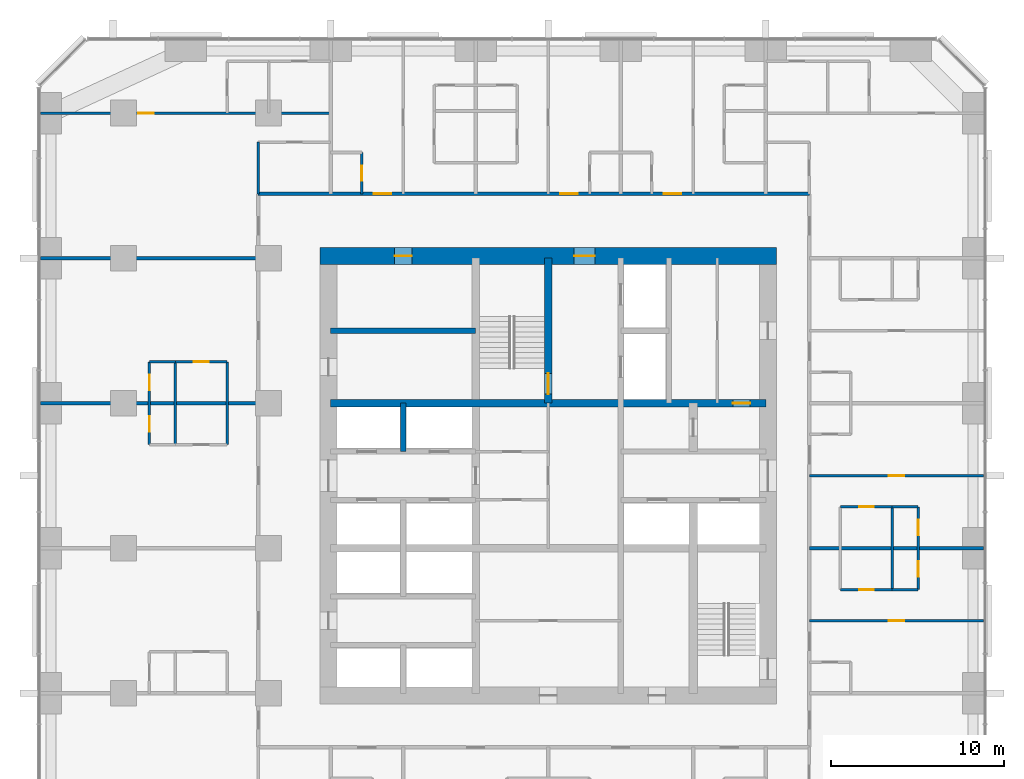
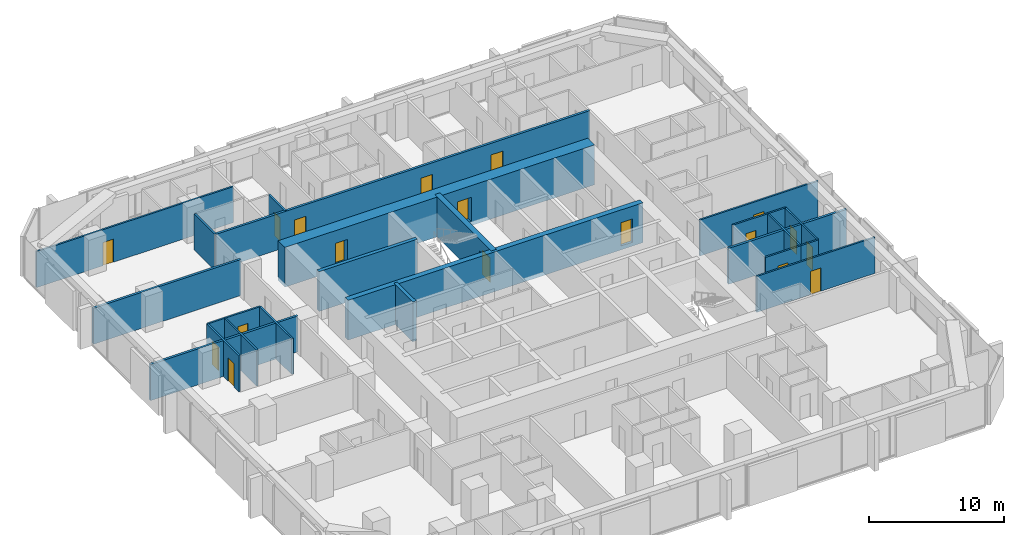
# One storey, part 11 of 14: 25 walls, 18 doors, 18 openings.
"""IFC4 building model written with IfcOpenShell, lengths in metres."""

from ifc_helpers import new_model, si_unit, direction, frame, frame_2d, origin, place, context, subcontext, project, spatial, rectangle, extrude, material, layer, layer_set, type_object, element, fill, save


model = new_model("IFC4")

# Units and contexts
model_context = context("Model", 3, precision=1e-05, world=origin(), true_north=direction((0.0, 1.0)))
body_context = subcontext(model_context, "Body", "Model", "MODEL_VIEW")
ifc_project = project(units=[si_unit("LENGTHUNIT", "METRE"), si_unit("AREAUNIT", "SQUARE_METRE"), si_unit("VOLUMEUNIT", "CUBIC_METRE"), si_unit("PLANEANGLEUNIT", "RADIAN"), si_unit("MASSUNIT", "GRAM", prefix="KILO")], contexts=[model_context])

# Site, building, storey
site_placement = place(None, origin())
site = spatial("IfcSite", under=ifc_project, at=site_placement, CompositionType="ELEMENT")
building_placement = place(site_placement, origin())
building = spatial("IfcBuilding", under=site, at=building_placement, Name="Dunama Terrace Hotel", CompositionType="ELEMENT")
storey_placement = place(building_placement, frame((0.0, 0.0, 126.0)))
storey = spatial("IfcBuildingStorey", under=building, at=storey_placement, Name="L32", CompositionType="ELEMENT", Elevation=126.0)

# Walls
ifc_material_1 = material(Name="Gypsum board partition", Category="masonry")
ifc_layer_1 = layer(ifc_material_1, 0.14990234375)
ifc_layer_set_1 = layer_set([ifc_layer_1], Name="Bathroom partition 150")
wall_type_1 = type_object("IfcWallType", Name="Bathroom partition 150", PredefinedType="PARTITIONING", material=ifc_layer_set_1)
wall_1_placement = place(storey_placement, frame((10.800048828125, 31.199951171875, 0.0), z_axis=(0.0, 0.0, 1.0), x_axis=(0.0, 1.0, 0.0)))
element("IfcWall", 1, at=wall_1_placement, inside=storey, type_object=wall_type_1, Name="Bathroom partition 150 L32", PredefinedType="PARTITIONING", context=body_context, shape_type="SweptSolid", body=[
    extrude(rectangle(XDim=4.800048828125, YDim=0.14990234375, at=frame_2d((2.39990234375, 0.0))), origin(), (0.0, 0.0, 1.0), 3.25),
])
wall_2_placement = place(storey_placement, frame((12.60009765625, 45.72509765625, 0.0), z_axis=(0.0, 0.0, 1.0), x_axis=(0.0, 1.0, 0.0)))
element("IfcWall", 2, at=wall_2_placement, inside=storey, type_object=wall_type_1, Name="Bathroom partition 150 L32", PredefinedType="PARTITIONING", context=body_context, shape_type="SweptSolid", body=[
    extrude(rectangle(XDim=3.0, YDim=0.14990234375, at=frame_2d((1.5, 0.0))), origin(), (0.0, 0.0, 1.0), 3.25),
])

# Wall, opening, door
wall_3_placement = place(storey_placement, frame((18.60009765625, 45.72509765625, 0.0), z_axis=(0.0, 0.0, 1.0), x_axis=(0.0, 1.0, 0.0)))
wall_3 = element("IfcWall", 3, at=wall_3_placement, inside=storey, type_object=wall_type_1, Name="Bathroom partition 150 L32", PredefinedType="PARTITIONING", context=body_context, shape_type="SweptSolid", body=[
    extrude(rectangle(XDim=2.39990234375, YDim=0.14990234375, at=frame_2d((1.199951171875, 0.0))), origin(), (0.0, 0.0, 1.0), 3.25),
])
opening_1_placement = place(wall_3_placement, frame((0.77490234375, 0.0, 0.0)))
opening_1 = element("IfcOpeningElement", 4, at=opening_1_placement, cuts=wall_3, Name="Opening L31-33-039", PredefinedType="OPENING", context=body_context, shape_type="SweptSolid", body=[
    extrude(rectangle(XDim=0.85009765625, YDim=2.10009765625, at=frame_2d((0.425048828125, 1.050048828125))), frame((0.0, 0.0849609375, 0.0), z_axis=(0.0, -1.0, 0.0), x_axis=(1.0, 0.0, 0.0)), (0.0, 0.0, 1.0), 0.169921875),
])
ifc_material_2 = material(Name="Timber door with steel frame", Category="steel")
door_type_1 = type_object("IfcDoorType", Name="Bathroom door 850", OperationType="SINGLE_SWING_LEFT", PredefinedType="DOOR", material=ifc_material_2)
door_1_placement = place(opening_1_placement, origin())
door_1 = element("IfcDoor", 5, at=door_1_placement, inside=storey, type_object=door_type_1, Name="Door to powder room L31-33-039, type D2", OperationType="SINGLE_SWING_LEFT", OverallHeight=2.10009765625, OverallWidth=0.85009765625, PredefinedType="DOOR", context=body_context, shape_type="SweptSolid", body=[
    extrude(rectangle(XDim=0.85009765625, YDim=2.10009765625, at=frame_2d((0.425048828125, 1.050048828125))), frame((0.0, 0.02490234375, 0.0), z_axis=(0.0, -1.0, 0.0), x_axis=(1.0, 0.0, 0.0)), (0.0, 0.0, 1.0), 0.050048828125),
])
fill(opening_1, door_1)

wall_4_placement = place(storey_placement, frame((46.324951171875, 22.800048828125, 0.0), z_axis=(0.0, 0.0, 1.0), x_axis=(1.0, 0.0, 0.0)))
wall_4 = element("IfcWall", 6, at=wall_4_placement, inside=storey, type_object=wall_type_1, Name="Bathroom partition 150 L32", PredefinedType="PARTITIONING", context=body_context, shape_type="SweptSolid", body=[
    extrude(rectangle(XDim=3.0, YDim=0.14990234375, at=frame_2d((1.5, 0.0))), origin(), (0.0, 0.0, 1.0), 3.25),
])
opening_2_placement = place(wall_4_placement, frame((1.074951171875, 0.0, 0.0)))
opening_2 = element("IfcOpeningElement", 7, at=opening_2_placement, cuts=wall_4, Name="Opening L31-33-026", PredefinedType="OPENING", context=body_context, shape_type="SweptSolid", body=[
    extrude(rectangle(XDim=0.85009765625, YDim=2.10009765625, at=frame_2d((0.425048828125, 1.050048828125))), frame((0.0, 0.0849609375, 0.0), z_axis=(0.0, -1.0, 0.0), x_axis=(1.0, 0.0, 0.0)), (0.0, 0.0, 1.0), 0.169921875),
])
door_2_placement = place(opening_2_placement, origin())
door_2 = element("IfcDoor", 8, at=door_2_placement, inside=storey, type_object=door_type_1, Name="Door to en-suite bathroom L31-33-026, type D2", OperationType="SINGLE_SWING_RIGHT", OverallHeight=2.10009765625, OverallWidth=0.85009765625, PredefinedType="DOOR", context=body_context, shape_type="SweptSolid", body=[
    extrude(rectangle(XDim=0.85009765625, YDim=2.10009765625, at=frame_2d((0.425048828125, 1.050048828125))), frame((0.0, 0.02490234375, 0.0), z_axis=(0.0, -1.0, 0.0), x_axis=(1.0, 0.0, 0.0)), (0.0, 0.0, 1.0), 0.050048828125),
])
fill(opening_2, door_2)

wall_5_placement = place(storey_placement, frame((46.324951171875, 27.60009765625, 0.0), z_axis=(0.0, 0.0, 1.0), x_axis=(1.0, 0.0, 0.0)))
wall_5 = element("IfcWall", 9, at=wall_5_placement, inside=storey, type_object=wall_type_1, Name="Bathroom partition 150 L32", PredefinedType="PARTITIONING", context=body_context, shape_type="SweptSolid", body=[
    extrude(rectangle(XDim=3.0, YDim=0.14990234375, at=frame_2d((1.5, 0.0))), origin(), (0.0, 0.0, 1.0), 3.25),
])
opening_3_placement = place(wall_5_placement, frame((1.074951171875, 0.0, 0.0)))
opening_3 = element("IfcOpeningElement", 10, at=opening_3_placement, cuts=wall_5, Name="Opening L31-33-031", PredefinedType="OPENING", context=body_context, shape_type="SweptSolid", body=[
    extrude(rectangle(XDim=0.85009765625, YDim=2.10009765625, at=frame_2d((0.425048828125, 1.050048828125))), frame((0.0, 0.0849609375, 0.0), z_axis=(0.0, -1.0, 0.0), x_axis=(1.0, 0.0, 0.0)), (0.0, 0.0, 1.0), 0.169921875),
])
door_3_placement = place(opening_3_placement, frame((0.85009765625, 0.0, 0.0), z_axis=(0.0, 0.0, 1.0), x_axis=(-1.0, 0.0, 0.0)))
door_3 = element("IfcDoor", 11, at=door_3_placement, inside=storey, type_object=door_type_1, Name="Door to en-suite bathroom L31-33-031, type D2", OperationType="SINGLE_SWING_LEFT", OverallHeight=2.10009765625, OverallWidth=0.85009765625, PredefinedType="DOOR", context=body_context, shape_type="SweptSolid", body=[
    extrude(rectangle(XDim=0.85009765625, YDim=2.10009765625, at=frame_2d((0.425048828125, 1.050048828125))), frame((0.0, 0.025146484375, 0.0), z_axis=(0.0, -1.0, 0.0), x_axis=(1.0, 0.0, 0.0)), (0.0, 0.0, 1.0), 0.050048828125),
])
fill(opening_3, door_3)

wall_6_placement = place(storey_placement, frame((7.800048828125, 36.0, 0.0), z_axis=(0.0, 0.0, 1.0), x_axis=(1.0, 0.0, 0.0)))
wall_6 = element("IfcWall", 12, at=wall_6_placement, inside=storey, type_object=wall_type_1, Name="Bathroom partition 150 L32", PredefinedType="PARTITIONING", context=body_context, shape_type="SweptSolid", body=[
    extrude(rectangle(XDim=3.0, YDim=0.14990234375, at=frame_2d((1.5, 0.0))), origin(), (0.0, 0.0, 1.0), 3.25),
])
opening_4_placement = place(wall_6_placement, frame((1.074951171875, 0.0, 0.0)))
opening_4 = element("IfcOpeningElement", 13, at=opening_4_placement, cuts=wall_6, Name="Opening L31-33-060", PredefinedType="OPENING", context=body_context, shape_type="SweptSolid", body=[
    extrude(rectangle(XDim=0.85009765625, YDim=2.10009765625, at=frame_2d((0.425048828125, 1.050048828125))), frame((0.0, 0.0849609375, 0.0), z_axis=(0.0, -1.0, 0.0), x_axis=(1.0, 0.0, 0.0)), (0.0, 0.0, 1.0), 0.169921875),
])
door_4_placement = place(opening_4_placement, frame((0.85009765625, 0.0, 0.0), z_axis=(0.0, 0.0, 1.0), x_axis=(-1.0, 0.0, 0.0)))
door_4 = element("IfcDoor", 14, at=door_4_placement, inside=storey, type_object=door_type_1, Name="Door to en-suite bathroom L31-33-060, type D2", OperationType="SINGLE_SWING_RIGHT", OverallHeight=2.10009765625, OverallWidth=0.85009765625, PredefinedType="DOOR", context=body_context, shape_type="SweptSolid", body=[
    extrude(rectangle(XDim=0.85009765625, YDim=2.10009765625, at=frame_2d((0.425048828125, 1.050048828125))), frame((0.0, 0.025146484375, 0.0), z_axis=(0.0, -1.0, 0.0), x_axis=(1.0, 0.0, 0.0)), (0.0, 0.0, 1.0), 0.050048828125),
])
fill(opening_4, door_4)

# Walls
ifc_material_3 = material(Name="Concrete C50/60", Category="concrete")
ifc_layer_2 = layer(ifc_material_3, 0.300048828125)
ifc_layer_set_2 = layer_set([ifc_layer_2], Name="Core inner wall 300")
wall_type_2 = type_object("IfcWallType", Name="Core inner wall 300", PredefinedType="SHEAR", material=ifc_layer_set_2)
wall_7_placement = place(storey_placement, frame((21.0, 30.800048828125, -0.35009765625), z_axis=(0.0, 0.0, 1.0), x_axis=(0.0, 1.0, 0.0)))
element("IfcWall", 15, at=wall_7_placement, inside=storey, type_object=wall_type_2, Name="Core inner wall 300 L32", PredefinedType="SHEAR", context=body_context, shape_type="SweptSolid", body=[
    extrude(rectangle(XDim=2.800048828125, YDim=0.300048828125, at=frame_2d((1.39990234375, 0.0))), origin(), (0.0, 0.0, 1.0), 3.60009765625),
])
wall_8_placement = place(storey_placement, frame((16.800048828125, 37.800048828125, -0.35009765625), z_axis=(0.0, 0.0, 1.0), x_axis=(1.0, 0.0, 0.0)))
element("IfcWall", 16, at=wall_8_placement, inside=storey, type_object=wall_type_2, Name="Core inner wall 300 L32", PredefinedType="SHEAR", context=body_context, shape_type="SweptSolid", body=[
    extrude(rectangle(XDim=8.39990234375, YDim=0.300048828125, at=frame_2d((4.199951171875, 0.0))), origin(), (0.0, 0.0, 1.0), 3.60009765625),
])

# Wall, opening, door
ifc_material_4 = material(Name="Concrete C50/60", Category="concrete")
ifc_layer_3 = layer(ifc_material_4, 0.449951171875)
ifc_layer_set_3 = layer_set([ifc_layer_3], Name="Core inner wall 450")
wall_type_3 = type_object("IfcWallType", Name="Core inner wall 450", PredefinedType="SHEAR", material=ifc_layer_set_3)
wall_9_placement = place(storey_placement, frame((29.39990234375, 33.60009765625, -0.35009765625), z_axis=(0.0, 0.0, 1.0), x_axis=(0.0, 1.0, 0.0)))
wall_9 = element("IfcWall", 17, at=wall_9_placement, inside=storey, type_object=wall_type_3, Name="Core inner wall 450 L32", PredefinedType="SHEAR", context=body_context, shape_type="SweptSolid", body=[
    extrude(rectangle(XDim=8.39990234375, YDim=0.449951171875, at=frame_2d((4.199951171875, 0.0))), origin(), (0.0, 0.0, 1.0), 3.60009765625),
])
opening_5_placement = place(wall_9_placement, frame((0.52490234375, 0.0, 0.35009765625)))
opening_5 = element("IfcOpeningElement", 18, at=opening_5_placement, cuts=wall_9, Name="Opening L31-33-001", PredefinedType="OPENING", context=body_context, shape_type="SweptSolid", body=[
    extrude(rectangle(XDim=1.199951171875, YDim=2.199951171875, at=frame_2d((0.60009765625, 1.10009765625))), frame((0.0, 0.23486328125, 0.0), z_axis=(0.0, -1.0, 0.0), x_axis=(1.0, 0.0, 0.0)), (0.0, 0.0, 1.0), 0.469970703125),
])
ifc_material_5 = material(Name="Timber door with steel frame", Category="steel")
door_type_2 = type_object("IfcDoorType", Name="Stair door 1200", OperationType="SINGLE_SWING_LEFT", PredefinedType="DOOR", material=ifc_material_5)
door_5_placement = place(opening_5_placement, origin())
door_5 = element("IfcDoor", 19, at=door_5_placement, inside=storey, type_object=door_type_2, Name="Stair door ST1 L31-33-001, type D5", OperationType="SINGLE_SWING_LEFT", OverallHeight=2.199951171875, OverallWidth=1.199951171875, PredefinedType="DOOR", context=body_context, shape_type="SweptSolid", body=[
    extrude(rectangle(XDim=1.199951171875, YDim=2.199951171875, at=frame_2d((0.60009765625, 1.10009765625))), frame((0.0, 0.02490234375, 0.0), z_axis=(0.0, -1.0, 0.0), x_axis=(1.0, 0.0, 0.0)), (0.0, 0.0, 1.0), 0.050048828125),
])
fill(opening_5, door_5)

wall_10_placement = place(storey_placement, frame((16.800048828125, 33.60009765625, -0.35009765625), z_axis=(0.0, 0.0, 1.0), x_axis=(1.0, 0.0, 0.0)))
wall_10 = element("IfcWall", 20, at=wall_10_placement, inside=storey, type_object=wall_type_3, Name="Core inner wall 450 L32", PredefinedType="SHEAR", context=body_context, shape_type="SweptSolid", body=[
    extrude(rectangle(XDim=25.199951171875, YDim=0.449951171875, at=frame_2d((12.60009765625, 0.0))), origin(), (0.0, 0.0, 1.0), 3.60009765625),
])
opening_6_placement = place(wall_10_placement, frame((23.300048828125, 0.0, 0.35009765625)))
opening_6 = element("IfcOpeningElement", 21, at=opening_6_placement, cuts=wall_10, Name="Opening L31-33-091", PredefinedType="OPENING", context=body_context, shape_type="SweptSolid", body=[
    extrude(rectangle(XDim=1.0, YDim=2.10009765625, at=frame_2d((0.5, 1.050048828125))), frame((0.0, 0.23486328125, 0.0), z_axis=(0.0, -1.0, 0.0), x_axis=(1.0, 0.0, 0.0)), (0.0, 0.0, 1.0), 0.469970703125),
])
ifc_material_6 = material(Name="Timber door with steel frame", Category="steel")
door_type_3 = type_object("IfcDoorType", Name="Service door 1000", OperationType="SINGLE_SWING_LEFT", PredefinedType="DOOR", material=ifc_material_6)
door_6_placement = place(opening_6_placement, frame((1.0, 0.0, 0.0), z_axis=(0.0, 0.0, 1.0), x_axis=(-1.0, 0.0, 0.0)))
door_6 = element("IfcDoor", 22, at=door_6_placement, inside=storey, type_object=door_type_3, Name="Door to housekeeping and linen store L31-33-091, type D7", OperationType="SINGLE_SWING_LEFT", OverallHeight=2.10009765625, OverallWidth=1.0, PredefinedType="DOOR", context=body_context, shape_type="SweptSolid", body=[
    extrude(rectangle(XDim=1.0, YDim=2.10009765625, at=frame_2d((0.5, 1.050048828125))), frame((0.0, 0.025146484375, 0.0), z_axis=(0.0, -1.0, 0.0), x_axis=(1.0, 0.0, 0.0)), (0.0, 0.0, 1.0), 0.050048828125),
])
fill(opening_6, door_6)

# Wall, openings, doors
ifc_material_7 = material(Name="Concrete C60/75", Category="concrete")
ifc_layer_4 = layer(ifc_material_7, 1.0)
ifc_layer_set_4 = layer_set([ifc_layer_4], Name="Core wall 1000")
wall_type_4 = type_object("IfcWallType", Name="Core wall 1000", PredefinedType="SHEAR", material=ifc_layer_set_4)
wall_11_placement = place(storey_placement, frame((42.625, 42.125, -0.35009765625), z_axis=(0.0, 0.0, 1.0), x_axis=(-1.0, 0.0, 0.0)))
wall_11 = element("IfcWall", 23, at=wall_11_placement, inside=storey, type_object=wall_type_4, Name="Core wall north L32", PredefinedType="SHEAR", context=body_context, shape_type="SweptSolid", body=[
    extrude(rectangle(XDim=26.449951171875, YDim=1.0, at=frame_2d((13.22509765625, 0.0))), origin(), (0.0, 0.0, 1.0), 3.60009765625),
])
opening_7_placement = place(wall_11_placement, frame((21.125, 0.0, 0.35009765625)))
opening_7 = element("IfcOpeningElement", 24, at=opening_7_placement, cuts=wall_11, Name="Opening L31-33-085", PredefinedType="OPENING", context=body_context, shape_type="SweptSolid", body=[
    extrude(rectangle(XDim=1.0, YDim=2.10009765625, at=frame_2d((0.5, 1.050048828125))), frame((0.0, 0.510009765625, 0.0), z_axis=(0.0, -1.0, 0.0), x_axis=(1.0, 0.0, 0.0)), (0.0, 0.0, 1.0), 1.02001953125),
])
opening_8_placement = place(wall_11_placement, frame((10.52490234375, 0.0, 0.35009765625)))
opening_8 = element("IfcOpeningElement", 25, at=opening_8_placement, cuts=wall_11, Name="Opening L31-33-093", PredefinedType="OPENING", context=body_context, shape_type="SweptSolid", body=[
    extrude(rectangle(XDim=1.199951171875, YDim=2.199951171875, at=frame_2d((0.60009765625, 1.10009765625))), frame((0.0, 0.510009765625, 0.0), z_axis=(0.0, -1.0, 0.0), x_axis=(1.0, 0.0, 0.0)), (0.0, 0.0, 1.0), 1.02001953125),
])
ifc_material_8 = material(Name="Timber door with steel frame", Category="steel")
door_type_4 = type_object("IfcDoorType", Name="Firefighting lobby door 1200", OperationType="SINGLE_SWING_LEFT", PredefinedType="DOOR", material=ifc_material_8)
door_7_placement = place(opening_8_placement, origin())
door_7 = element("IfcDoor", 26, at=door_7_placement, inside=storey, type_object=door_type_4, Name="Door to firefighting lobby L31-33-093, type D4", OperationType="SINGLE_SWING_RIGHT", OverallHeight=2.199951171875, OverallWidth=1.199951171875, PredefinedType="DOOR", context=body_context, shape_type="SweptSolid", body=[
    extrude(rectangle(XDim=1.199951171875, YDim=2.199951171875, at=frame_2d((0.60009765625, 1.10009765625))), frame((0.0, 0.02490234375, 0.0), z_axis=(0.0, -1.0, 0.0), x_axis=(1.0, 0.0, 0.0)), (0.0, 0.0, 1.0), 0.050048828125),
])
fill(opening_8, door_7)
door_8_placement = place(opening_7_placement, origin())
door_8 = element("IfcDoor", 27, at=door_8_placement, inside=storey, type_object=door_type_3, Name="Door to communications and riser room L31-33-085, type D7", OperationType="SINGLE_SWING_LEFT", OverallHeight=2.10009765625, OverallWidth=1.0, PredefinedType="DOOR", context=body_context, shape_type="SweptSolid", body=[
    extrude(rectangle(XDim=1.0, YDim=2.10009765625, at=frame_2d((0.5, 1.050048828125))), frame((0.0, 0.02490234375, 0.0), z_axis=(0.0, -1.0, 0.0), x_axis=(1.0, 0.0, 0.0)), (0.0, 0.0, 1.0), 0.050048828125),
])
fill(opening_7, door_8)

ifc_material_9 = material(Name="Concrete blockwork", Category="masonry")
ifc_layer_5 = layer(ifc_material_9, 0.199951171875)
ifc_layer_set_5 = layer_set([ifc_layer_5], Name="Corridor partition 200")
wall_type_5 = type_object("IfcWallType", Name="Corridor partition 200", PredefinedType="PARTITIONING", material=ifc_layer_set_5)
wall_12_placement = place(storey_placement, frame((12.60009765625, 45.72509765625, 0.0), z_axis=(0.0, 0.0, 1.0), x_axis=(1.0, 0.0, 0.0)))
wall_12 = element("IfcWall", 28, at=wall_12_placement, inside=storey, type_object=wall_type_5, Name="Corridor partition 200 L32", PredefinedType="PARTITIONING", context=body_context, shape_type="SweptSolid", body=[
    extrude(rectangle(XDim=31.9248046875, YDim=0.199951171875, at=frame_2d((15.96240234375, 0.0))), origin(), (0.0, 0.0, 1.0), 3.25),
])
opening_9_placement = place(wall_12_placement, frame((6.699951171875, 0.0, 0.0)))
opening_9 = element("IfcOpeningElement", 29, at=opening_9_placement, cuts=wall_12, Name="Opening L31-33-038", PredefinedType="OPENING", context=body_context, shape_type="SweptSolid", body=[
    extrude(rectangle(XDim=1.0, YDim=2.199951171875, at=frame_2d((0.5, 1.10009765625))), frame((0.0, 0.10986328125, 0.0), z_axis=(0.0, -1.0, 0.0), x_axis=(1.0, 0.0, 0.0)), (0.0, 0.0, 1.0), 0.219970703125),
])
opening_10_placement = place(wall_12_placement, frame((17.5, 0.0, 0.0)))
opening_10 = element("IfcOpeningElement", 30, at=opening_10_placement, cuts=wall_12, Name="Opening L31-33-043", PredefinedType="OPENING", context=body_context, shape_type="SweptSolid", body=[
    extrude(rectangle(XDim=1.0, YDim=2.199951171875, at=frame_2d((0.5, 1.10009765625))), frame((0.0, 0.10986328125, 0.0), z_axis=(0.0, -1.0, 0.0), x_axis=(1.0, 0.0, 0.0)), (0.0, 0.0, 1.0), 0.219970703125),
])
opening_11_placement = place(wall_12_placement, frame((23.5, 0.0, 0.0)))
opening_11 = element("IfcOpeningElement", 31, at=opening_11_placement, cuts=wall_12, Name="Opening L31-33-048", PredefinedType="OPENING", context=body_context, shape_type="SweptSolid", body=[
    extrude(rectangle(XDim=1.0, YDim=2.199951171875, at=frame_2d((0.5, 1.10009765625))), frame((0.0, 0.10986328125, 0.0), z_axis=(0.0, -1.0, 0.0), x_axis=(1.0, 0.0, 0.0)), (0.0, 0.0, 1.0), 0.219970703125),
])
ifc_material_10 = material(Name="Timber door with steel frame", Category="steel")
door_type_5 = type_object("IfcDoorType", Name="Guest room door 1000", OperationType="SINGLE_SWING_LEFT", PredefinedType="DOOR", material=ifc_material_10)
door_9_placement = place(opening_9_placement, origin())
door_9 = element("IfcDoor", 32, at=door_9_placement, inside=storey, type_object=door_type_5, Name="Door to premier suite living room L31-33-038, type D1", OperationType="SINGLE_SWING_LEFT", OverallHeight=2.199951171875, OverallWidth=1.0, PredefinedType="DOOR", context=body_context, shape_type="SweptSolid", body=[
    extrude(rectangle(XDim=1.0, YDim=2.199951171875, at=frame_2d((0.5, 1.10009765625))), frame((0.0, 0.02490234375, 0.0), z_axis=(0.0, -1.0, 0.0), x_axis=(1.0, 0.0, 0.0)), (0.0, 0.0, 1.0), 0.050048828125),
])
fill(opening_9, door_9)
door_10_placement = place(opening_10_placement, origin())
door_10 = element("IfcDoor", 33, at=door_10_placement, inside=storey, type_object=door_type_5, Name="Door to premier suite living room L31-33-043, type D1", OperationType="SINGLE_SWING_RIGHT", OverallHeight=2.199951171875, OverallWidth=1.0, PredefinedType="DOOR", context=body_context, shape_type="SweptSolid", body=[
    extrude(rectangle(XDim=1.0, YDim=2.199951171875, at=frame_2d((0.5, 1.10009765625))), frame((0.0, 0.02490234375, 0.0), z_axis=(0.0, -1.0, 0.0), x_axis=(1.0, 0.0, 0.0)), (0.0, 0.0, 1.0), 0.050048828125),
])
fill(opening_10, door_10)
door_11_placement = place(opening_11_placement, origin())
door_11 = element("IfcDoor", 34, at=door_11_placement, inside=storey, type_object=door_type_5, Name="Door to premier suite living room L31-33-048, type D1", OperationType="SINGLE_SWING_RIGHT", OverallHeight=2.199951171875, OverallWidth=1.0, PredefinedType="DOOR", context=body_context, shape_type="SweptSolid", body=[
    extrude(rectangle(XDim=1.0, YDim=2.199951171875, at=frame_2d((0.5, 1.10009765625))), frame((0.0, 0.02490234375, 0.0), z_axis=(0.0, -1.0, 0.0), x_axis=(1.0, 0.0, 0.0)), (0.0, 0.0, 1.0), 0.050048828125),
])
fill(opening_11, door_11)

# Walls
ifc_material_11 = material(Name="Concrete blockwork", Category="masonry")
ifc_layer_6 = layer(ifc_material_11, 0.199951171875)
ifc_layer_set_6 = layer_set([ifc_layer_6], Name="Party wall 200")
wall_type_6 = type_object("IfcWallType", Name="Party wall 200", PredefinedType="PARTITIONING", material=ifc_layer_set_6)
wall_13_placement = place(storey_placement, frame((44.52490234375, 25.199951171875, 0.0), z_axis=(0.0, 0.0, 1.0), x_axis=(1.0, 0.0, 0.0)))
element("IfcWall", 35, at=wall_13_placement, inside=storey, type_object=wall_type_6, Name="Party wall 200 L32", PredefinedType="PARTITIONING", context=body_context, shape_type="SweptSolid", body=[
    extrude(rectangle(XDim=10.093017578125, YDim=0.199951171875, at=frame_2d((5.04638671875, 0.0))), origin(), (0.0, 0.0, 1.0), 3.25),
])
for number, where, z_axis, x_axis, name in (
    (36, (-0.01806640625, 33.60009765625, 0.0), (0.0, 0.0, 1.0), (1.0, 0.0, 0.0), "Party wall 200 L32"),
    (37, (-0.01806640625, 42.0, 0.0), (0.0, 0.0, 1.0), (1.0, 0.0, 0.0), "Party wall 200 L32"),
):
    element("IfcWall", number, at=place(storey_placement, frame(where, z_axis=z_axis, x_axis=x_axis)), inside=storey, type_object=wall_type_6, Name=name, PredefinedType="PARTITIONING", context=body_context, shape_type="SweptSolid", body=[
        extrude(rectangle(XDim=12.6181640625, YDim=0.199951171875, at=frame_2d((6.30908203125, 0.0))), origin(), (0.0, 0.0, 1.0), 3.25),
    ])

# Wall, openings, doors
ifc_material_12 = material(Name="Gypsum board partition", Category="masonry")
ifc_layer_7 = layer(ifc_material_12, 0.14990234375)
ifc_layer_set_7 = layer_set([ifc_layer_7], Name="Room partition 150")
wall_type_7 = type_object("IfcWallType", Name="Room partition 150", PredefinedType="PARTITIONING", material=ifc_layer_set_7)
wall_14_placement = place(storey_placement, frame((6.300048828125, 31.199951171875, 0.0), z_axis=(0.0, 0.0, 1.0), x_axis=(0.0, 1.0, 0.0)))
wall_14 = element("IfcWall", 38, at=wall_14_placement, inside=storey, type_object=wall_type_7, Name="Room partition 150 L32", PredefinedType="PARTITIONING", context=body_context, shape_type="SweptSolid", body=[
    extrude(rectangle(XDim=4.800048828125, YDim=0.14990234375, at=frame_2d((2.39990234375, 0.0))), origin(), (0.0, 0.0, 1.0), 3.25),
])
opening_12_placement = place(wall_14_placement, frame((0.75, 0.0, 0.0)))
opening_12 = element("IfcOpeningElement", 39, at=opening_12_placement, cuts=wall_14, Name="Opening L31-33-058", PredefinedType="OPENING", context=body_context, shape_type="SweptSolid", body=[
    extrude(rectangle(XDim=0.89990234375, YDim=2.10009765625, at=frame_2d((0.449951171875, 1.050048828125))), frame((0.0, 0.0849609375, 0.0), z_axis=(0.0, -1.0, 0.0), x_axis=(1.0, 0.0, 0.0)), (0.0, 0.0, 1.0), 0.169921875),
])
opening_13_placement = place(wall_14_placement, frame((3.14990234375, 0.0, 0.0)))
opening_13 = element("IfcOpeningElement", 40, at=opening_13_placement, cuts=wall_14, Name="Opening L31-33-061", PredefinedType="OPENING", context=body_context, shape_type="SweptSolid", body=[
    extrude(rectangle(XDim=0.89990234375, YDim=2.10009765625, at=frame_2d((0.449951171875, 1.050048828125))), frame((0.0, 0.0849609375, 0.0), z_axis=(0.0, -1.0, 0.0), x_axis=(1.0, 0.0, 0.0)), (0.0, 0.0, 1.0), 0.169921875),
])
ifc_material_13 = material(Name="Timber door with steel frame", Category="steel")
door_type_6 = type_object("IfcDoorType", Name="Suite internal door 900", OperationType="SINGLE_SWING_LEFT", PredefinedType="DOOR", material=ifc_material_13)
door_12_placement = place(opening_12_placement, frame((0.89990234375, 0.0, 0.0), z_axis=(0.0, 0.0, 1.0), x_axis=(-1.0, 0.0, 0.0)))
door_12 = element("IfcDoor", 41, at=door_12_placement, inside=storey, type_object=door_type_6, Name="Door to walk-in wardrobe L31-33-058, type D16", OperationType="SINGLE_SWING_RIGHT", OverallHeight=2.10009765625, OverallWidth=0.89990234375, PredefinedType="DOOR", context=body_context, shape_type="SweptSolid", body=[
    extrude(rectangle(XDim=0.89990234375, YDim=2.10009765625, at=frame_2d((0.449951171875, 1.050048828125))), frame((0.0, 0.025146484375, 0.0), z_axis=(0.0, -1.0, 0.0), x_axis=(1.0, 0.0, 0.0)), (0.0, 0.0, 1.0), 0.050048828125),
])
fill(opening_12, door_12)
door_13_placement = place(opening_13_placement, frame((0.89990234375, 0.0, 0.0), z_axis=(0.0, 0.0, 1.0), x_axis=(-1.0, 0.0, 0.0)))
door_13 = element("IfcDoor", 42, at=door_13_placement, inside=storey, type_object=door_type_6, Name="Door to walk-in wardrobe L31-33-061, type D16", OperationType="SINGLE_SWING_RIGHT", OverallHeight=2.10009765625, OverallWidth=0.89990234375, PredefinedType="DOOR", context=body_context, shape_type="SweptSolid", body=[
    extrude(rectangle(XDim=0.89990234375, YDim=2.10009765625, at=frame_2d((0.449951171875, 1.050048828125))), frame((0.0, 0.025146484375, 0.0), z_axis=(0.0, -1.0, 0.0), x_axis=(1.0, 0.0, 0.0)), (0.0, 0.0, 1.0), 0.050048828125),
])
fill(opening_13, door_13)

# Walls
for number, where, z_axis, x_axis, name in (
    (43, (7.800048828125, 31.199951171875, 0.0), (0.0, 0.0, 1.0), (0.0, 1.0, 0.0), "Room partition 150 L32"),
    (44, (49.324951171875, 22.800048828125, 0.0), (0.0, 0.0, 1.0), (0.0, 1.0, 0.0), "Room partition 150 L32"),
):
    element("IfcWall", number, at=place(storey_placement, frame(where, z_axis=z_axis, x_axis=x_axis)), inside=storey, type_object=wall_type_7, Name=name, PredefinedType="PARTITIONING", context=body_context, shape_type="SweptSolid", body=[
        extrude(rectangle(XDim=4.800048828125, YDim=0.14990234375, at=frame_2d((2.39990234375, 0.0))), origin(), (0.0, 0.0, 1.0), 3.25),
    ])

# Wall, openings, doors
wall_15_placement = place(storey_placement, frame((50.824951171875, 22.800048828125, 0.0), z_axis=(0.0, 0.0, 1.0), x_axis=(0.0, 1.0, 0.0)))
wall_15 = element("IfcWall", 45, at=wall_15_placement, inside=storey, type_object=wall_type_7, Name="Room partition 150 L32", PredefinedType="PARTITIONING", context=body_context, shape_type="SweptSolid", body=[
    extrude(rectangle(XDim=4.800048828125, YDim=0.14990234375, at=frame_2d((2.39990234375, 0.0))), origin(), (0.0, 0.0, 1.0), 3.25),
])
opening_14_placement = place(wall_15_placement, frame((0.75, 0.0, 0.0)))
opening_14 = element("IfcOpeningElement", 46, at=opening_14_placement, cuts=wall_15, Name="Opening L31-33-027", PredefinedType="OPENING", context=body_context, shape_type="SweptSolid", body=[
    extrude(rectangle(XDim=0.89990234375, YDim=2.10009765625, at=frame_2d((0.449951171875, 1.050048828125))), frame((0.0, 0.0849609375, 0.0), z_axis=(0.0, -1.0, 0.0), x_axis=(1.0, 0.0, 0.0)), (0.0, 0.0, 1.0), 0.169921875),
])
opening_15_placement = place(wall_15_placement, frame((3.14990234375, 0.0, 0.0)))
opening_15 = element("IfcOpeningElement", 47, at=opening_15_placement, cuts=wall_15, Name="Opening L31-33-032", PredefinedType="OPENING", context=body_context, shape_type="SweptSolid", body=[
    extrude(rectangle(XDim=0.89990234375, YDim=2.10009765625, at=frame_2d((0.449951171875, 1.050048828125))), frame((0.0, 0.0849609375, 0.0), z_axis=(0.0, -1.0, 0.0), x_axis=(1.0, 0.0, 0.0)), (0.0, 0.0, 1.0), 0.169921875),
])
door_14_placement = place(opening_14_placement, origin())
door_14 = element("IfcDoor", 48, at=door_14_placement, inside=storey, type_object=door_type_6, Name="Door to walk-in wardrobe L31-33-027, type D16", OperationType="SINGLE_SWING_LEFT", OverallHeight=2.10009765625, OverallWidth=0.89990234375, PredefinedType="DOOR", context=body_context, shape_type="SweptSolid", body=[
    extrude(rectangle(XDim=0.89990234375, YDim=2.10009765625, at=frame_2d((0.449951171875, 1.050048828125))), frame((0.0, 0.02490234375, 0.0), z_axis=(0.0, -1.0, 0.0), x_axis=(1.0, 0.0, 0.0)), (0.0, 0.0, 1.0), 0.050048828125),
])
fill(opening_14, door_14)
door_15_placement = place(opening_15_placement, origin())
door_15 = element("IfcDoor", 49, at=door_15_placement, inside=storey, type_object=door_type_6, Name="Door to walk-in wardrobe L31-33-032, type D16", OperationType="SINGLE_SWING_LEFT", OverallHeight=2.10009765625, OverallWidth=0.89990234375, PredefinedType="DOOR", context=body_context, shape_type="SweptSolid", body=[
    extrude(rectangle(XDim=0.89990234375, YDim=2.10009765625, at=frame_2d((0.449951171875, 1.050048828125))), frame((0.0, 0.02490234375, 0.0), z_axis=(0.0, -1.0, 0.0), x_axis=(1.0, 0.0, 0.0)), (0.0, 0.0, 1.0), 0.050048828125),
])
fill(opening_15, door_15)

# Wall, opening, door
wall_16_placement = place(storey_placement, frame((44.52490234375, 21.0, 0.0), z_axis=(0.0, 0.0, 1.0), x_axis=(1.0, 0.0, 0.0)))
wall_16 = element("IfcWall", 50, at=wall_16_placement, inside=storey, type_object=wall_type_7, Name="Room partition 150 L32", PredefinedType="PARTITIONING", context=body_context, shape_type="SweptSolid", body=[
    extrude(rectangle(XDim=10.093017578125, YDim=0.14990234375, at=frame_2d((5.04638671875, 0.0))), origin(), (0.0, 0.0, 1.0), 3.25),
])
opening_16_placement = place(wall_16_placement, frame((4.5869140625, 0.0, 0.0)))
opening_16 = element("IfcOpeningElement", 51, at=opening_16_placement, cuts=wall_16, Name="Opening L31-33-025", PredefinedType="OPENING", context=body_context, shape_type="SweptSolid", body=[
    extrude(rectangle(XDim=0.89990234375, YDim=2.10009765625, at=frame_2d((0.449951171875, 1.050048828125))), frame((0.0, 0.0849609375, 0.0), z_axis=(0.0, -1.0, 0.0), x_axis=(1.0, 0.0, 0.0)), (0.0, 0.0, 1.0), 0.169921875),
])
door_16_placement = place(opening_16_placement, origin())
door_16 = element("IfcDoor", 52, at=door_16_placement, inside=storey, type_object=door_type_6, Name="Door to executive suite bedroom L31-33-025, type D16", OperationType="SINGLE_SWING_LEFT", OverallHeight=2.10009765625, OverallWidth=0.89990234375, PredefinedType="DOOR", context=body_context, shape_type="SweptSolid", body=[
    extrude(rectangle(XDim=0.89990234375, YDim=2.10009765625, at=frame_2d((0.449951171875, 1.050048828125))), frame((0.0, 0.02490234375, 0.0), z_axis=(0.0, -1.0, 0.0), x_axis=(1.0, 0.0, 0.0)), (0.0, 0.0, 1.0), 0.050048828125),
])
fill(opening_16, door_16)

# Walls
for number, where, z_axis, x_axis, name in (
    (53, (49.324951171875, 22.800048828125, 0.0), (0.0, 0.0, 1.0), (1.0, 0.0, 0.0), "Room partition 150 L32"),
    (54, (49.324951171875, 27.60009765625, 0.0), (0.0, 0.0, 1.0), (1.0, 0.0, 0.0), "Room partition 150 L32"),
):
    element("IfcWall", number, at=place(storey_placement, frame(where, z_axis=z_axis, x_axis=x_axis)), inside=storey, type_object=wall_type_7, Name=name, PredefinedType="PARTITIONING", context=body_context, shape_type="SweptSolid", body=[
        extrude(rectangle(XDim=1.5, YDim=0.14990234375, at=frame_2d((0.75, 0.0))), origin(), (0.0, 0.0, 1.0), 3.25),
    ])

# Wall, opening, door
wall_17_placement = place(storey_placement, frame((44.52490234375, 29.39990234375, 0.0), z_axis=(0.0, 0.0, 1.0), x_axis=(1.0, 0.0, 0.0)))
wall_17 = element("IfcWall", 55, at=wall_17_placement, inside=storey, type_object=wall_type_7, Name="Room partition 150 L32", PredefinedType="PARTITIONING", context=body_context, shape_type="SweptSolid", body=[
    extrude(rectangle(XDim=10.093017578125, YDim=0.14990234375, at=frame_2d((5.04638671875, 0.0))), origin(), (0.0, 0.0, 1.0), 3.25),
])
opening_17_placement = place(wall_17_placement, frame((4.5869140625, 0.0, 0.0)))
opening_17 = element("IfcOpeningElement", 56, at=opening_17_placement, cuts=wall_17, Name="Opening L31-33-030", PredefinedType="OPENING", context=body_context, shape_type="SweptSolid", body=[
    extrude(rectangle(XDim=0.89990234375, YDim=2.10009765625, at=frame_2d((0.449951171875, 1.050048828125))), frame((0.0, 0.0849609375, 0.0), z_axis=(0.0, -1.0, 0.0), x_axis=(1.0, 0.0, 0.0)), (0.0, 0.0, 1.0), 0.169921875),
])
door_17_placement = place(opening_17_placement, frame((0.89990234375, 0.0, 0.0), z_axis=(0.0, 0.0, 1.0), x_axis=(-1.0, 0.0, 0.0)))
door_17 = element("IfcDoor", 57, at=door_17_placement, inside=storey, type_object=door_type_6, Name="Door to executive suite bedroom L31-33-030, type D16", OperationType="SINGLE_SWING_RIGHT", OverallHeight=2.10009765625, OverallWidth=0.89990234375, PredefinedType="DOOR", context=body_context, shape_type="SweptSolid", body=[
    extrude(rectangle(XDim=0.89990234375, YDim=2.10009765625, at=frame_2d((0.449951171875, 1.050048828125))), frame((0.0, 0.025146484375, 0.0), z_axis=(0.0, -1.0, 0.0), x_axis=(1.0, 0.0, 0.0)), (0.0, 0.0, 1.0), 0.050048828125),
])
fill(opening_17, door_17)

# Wall
wall_18_placement = place(storey_placement, frame((6.300048828125, 36.0, 0.0), z_axis=(0.0, 0.0, 1.0), x_axis=(1.0, 0.0, 0.0)))
element("IfcWall", 58, at=wall_18_placement, inside=storey, type_object=wall_type_7, Name="Room partition 150 L32", PredefinedType="PARTITIONING", context=body_context, shape_type="SweptSolid", body=[
    extrude(rectangle(XDim=1.5, YDim=0.14990234375, at=frame_2d((0.75, 0.0))), origin(), (0.0, 0.0, 1.0), 3.25),
])

# Wall, opening, door
wall_19_placement = place(storey_placement, frame((-0.01806640625, 50.39990234375, 0.0), z_axis=(0.0, 0.0, 1.0), x_axis=(1.0, 0.0, 0.0)))
wall_19 = element("IfcWall", 59, at=wall_19_placement, inside=storey, type_object=wall_type_7, Name="Room partition 150 L32", PredefinedType="PARTITIONING", context=body_context, shape_type="SweptSolid", body=[
    extrude(rectangle(XDim=16.818115234375, YDim=0.14990234375, at=frame_2d((8.4091796875, 0.0))), origin(), (0.0, 0.0, 1.0), 3.25),
])
opening_18_placement = place(wall_19_placement, frame((5.66796875, 0.0, 0.0)))
opening_18 = element("IfcOpeningElement", 60, at=opening_18_placement, cuts=wall_19, Name="Opening L31-33-079", PredefinedType="OPENING", context=body_context, shape_type="SweptSolid", body=[
    extrude(rectangle(XDim=0.89990234375, YDim=2.10009765625, at=frame_2d((0.449951171875, 1.050048828125))), frame((0.0, 0.0849609375, 0.0), z_axis=(0.0, -1.0, 0.0), x_axis=(1.0, 0.0, 0.0)), (0.0, 0.0, 1.0), 0.169921875),
])
door_18_placement = place(opening_18_placement, origin())
door_18 = element("IfcDoor", 61, at=door_18_placement, inside=storey, type_object=door_type_6, Name="Door to corner suite bedroom L31-33-079, type D16", OperationType="SINGLE_SWING_LEFT", OverallHeight=2.10009765625, OverallWidth=0.89990234375, PredefinedType="DOOR", context=body_context, shape_type="SweptSolid", body=[
    extrude(rectangle(XDim=0.89990234375, YDim=2.10009765625, at=frame_2d((0.449951171875, 1.050048828125))), frame((0.0, 0.02490234375, 0.0), z_axis=(0.0, -1.0, 0.0), x_axis=(1.0, 0.0, 0.0)), (0.0, 0.0, 1.0), 0.050048828125),
])
fill(opening_18, door_18)

save(model, "model.ifc")
